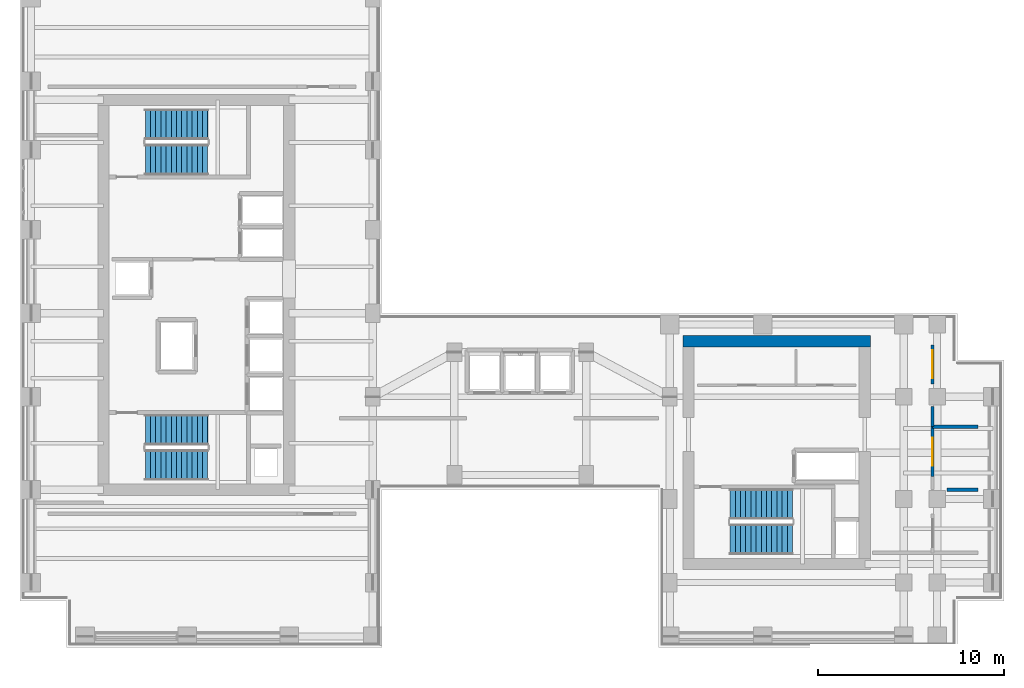
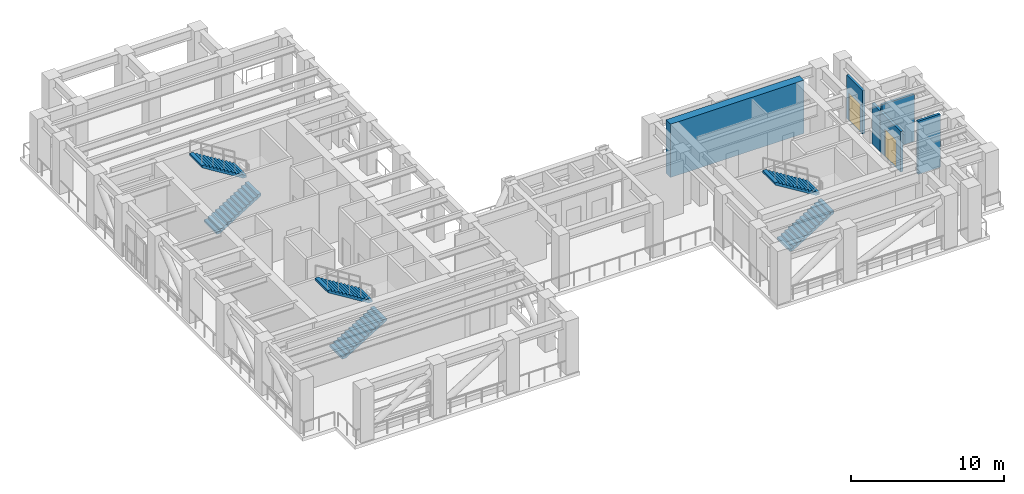
# One storey, part 10 of 14: 6 stair flights, 6 walls, 2 doors, 2 openings, 3 elements without a shape of their own.
"""IFC4 building model written with IfcOpenShell, lengths in metres."""

from ifc_helpers import new_model, si_unit, direction, frame, frame_2d, origin, place, context, subcontext, project, spatial, polyline, rectangle, outline, extrude, source, transform, mapped, material, layer, layer_set, type_object, element, fill, aggregate, save


model = new_model("IFC4")

# Units and contexts
model_context = context("Model", 3, precision=1e-05, world=origin(), true_north=direction((0.0, 1.0)))
body_context = subcontext(model_context, "Body", "Model", "MODEL_VIEW")
ifc_project = project(units=[si_unit("LENGTHUNIT", "METRE"), si_unit("AREAUNIT", "SQUARE_METRE"), si_unit("VOLUMEUNIT", "CUBIC_METRE"), si_unit("PLANEANGLEUNIT", "RADIAN"), si_unit("MASSUNIT", "GRAM", prefix="KILO")], contexts=[model_context])

# Site, building, storey
site_placement = place(None, origin())
site = spatial("IfcSite", under=ifc_project, at=site_placement, CompositionType="ELEMENT")
building_placement = place(site_placement, origin())
building = spatial("IfcBuilding", under=site, at=building_placement, Name="Kharzan Plaza Tower", CompositionType="ELEMENT")
storey_placement = place(building_placement, frame((0.0, 0.0, 207.89990234375)))
storey = spatial("IfcBuildingStorey", under=building, at=storey_placement, Name="L56", CompositionType="ELEMENT", Elevation=207.89990234375)

# Wall, opening, door
ifc_material_1 = material(Name="Concrete C40/50", Category="concrete")
ifc_layer_1 = layer(ifc_material_1, 0.179931640625)
ifc_layer_set_1 = layer_set([ifc_layer_1], Name="Concrete C40/50")
wall_type_1 = type_object("IfcWallType", Name="WL-INT-FIRE-180", PredefinedType="PARTITIONING", material=ifc_layer_set_1)
wall_1_placement = place(storey_placement, frame((49.14990234375, 9.199951171875, 0.0), z_axis=(0.0, 0.0, 1.0), x_axis=(0.0, 1.0, 0.0)))
wall_1 = element("IfcWall", 1, at=wall_1_placement, inside=storey, type_object=wall_type_1, Name="L56 Interior Partition MR-BMS", PredefinedType="PARTITIONING", context=body_context, shape_type="SweptSolid", body=[
    extrude(rectangle(XDim=2.699951171875, YDim=0.179931640625, at=frame_2d((1.35009765625, 0.0))), origin(), (0.0, 0.0, 1.0), 3.2451171875),
])
opening_1_placement = place(wall_1_placement, frame((0.60009765625, 0.0, 0.0)))
opening_1 = element("IfcOpeningElement", 2, at=opening_1_placement, cuts=wall_1, Name="Opening PD1", PredefinedType="OPENING", context=body_context, shape_type="SweptSolid", body=[
    extrude(rectangle(XDim=1.5, YDim=2.199951171875, at=frame_2d((0.75, 1.10009765625))), frame((0.0, 0.099853515625, 0.0), z_axis=(0.0, -1.0, 0.0), x_axis=(1.0, 0.0, 0.0)), (0.0, 0.0, 1.0), 0.199951171875),
])
ifc_material_2 = material(Name="Galvanized Louvred Acoustic Steel", Category="steel")
door_type = type_object("IfcDoorType", Name="DR-PLANT-DBL", OperationType="DOUBLE_DOOR_SINGLE_SWING", PredefinedType="DOOR", material=ifc_material_2)
shared_shape_1 = source(origin(), body_context, "Body", "SweptSolid", [
    extrude(rectangle(XDim=1.5, YDim=2.199951171875, at=frame_2d((0.75, 1.10009765625))), frame((0.0, 0.02490234375, 0.0), z_axis=(0.0, -1.0, 0.0), x_axis=(1.0, 0.0, 0.0)), (0.0, 0.0, 1.0), 0.050048828125),
])
door_1_placement = place(opening_1_placement, origin())
door_1 = element("IfcDoor", 3, at=door_1_placement, inside=storey, type_object=door_type, Name="L56 BMS Controls Plant Room Door", OperationType="DOUBLE_DOOR_SINGLE_SWING", OverallHeight=2.199951171875, OverallWidth=1.5, PredefinedType="DOOR", context=body_context, shape_type="MappedRepresentation", body=[
    mapped(shared_shape_1, transform((0.0, 0.0, 0.0), x_axis=(1.0, 0.0, 0.0), y_axis=(0.0, 1.0, 0.0), z_axis=(0.0, 0.0, 1.0))),
])
fill(opening_1, door_1)

wall_2_placement = place(storey_placement, frame((49.14990234375, 14.199951171875, 0.0), z_axis=(0.0, 0.0, 1.0), x_axis=(0.0, 1.0, 0.0)))
wall_2 = element("IfcWall", 4, at=wall_2_placement, inside=storey, type_object=wall_type_1, Name="L56 Interior Partition MR-SUB", PredefinedType="PARTITIONING", context=body_context, shape_type="SweptSolid", body=[
    extrude(rectangle(XDim=2.10009765625, YDim=0.179931640625, at=frame_2d((1.050048828125, 0.0))), origin(), (0.0, 0.0, 1.0), 3.47216796875),
])
opening_2_placement = place(wall_2_placement, frame((0.300048828125, 0.0, 0.0)))
opening_2 = element("IfcOpeningElement", 5, at=opening_2_placement, cuts=wall_2, Name="Opening PD1", PredefinedType="OPENING", context=body_context, shape_type="SweptSolid", body=[
    extrude(rectangle(XDim=1.5, YDim=2.199951171875, at=frame_2d((0.75, 1.10009765625))), frame((0.0, 0.099853515625, 0.0), z_axis=(0.0, -1.0, 0.0), x_axis=(1.0, 0.0, 0.0)), (0.0, 0.0, 1.0), 0.199951171875),
])
door_2_placement = place(opening_2_placement, origin())
door_2 = element("IfcDoor", 6, at=door_2_placement, inside=storey, type_object=door_type, Name="L56 Transformer Plant Room Door", OperationType="DOUBLE_DOOR_SINGLE_SWING", OverallHeight=2.199951171875, OverallWidth=1.5, PredefinedType="DOOR", context=body_context, shape_type="MappedRepresentation", body=[
    mapped(shared_shape_1, transform((0.0, 0.0, 0.0), x_axis=(1.0, 0.0, 0.0), y_axis=(0.0, 1.0, 0.0), z_axis=(0.0, 0.0, 1.0))),
])
fill(opening_2, door_2)

# Walls
ifc_material_3 = material(Name="Concrete C50/60", Category="concrete")
ifc_layer_2 = layer(ifc_material_3, 0.60009765625)
ifc_layer_set_2 = layer_set([ifc_layer_2], Name="Concrete C50/60")
wall_type_2 = type_object("IfcWallType", Name="WL-CORE-600", PredefinedType="SHEAR", material=ifc_layer_set_2)
shared_shape_2 = source(origin(), body_context, "Body", "SweptSolid", [
    extrude(rectangle(XDim=10.10009765625, YDim=0.60009765625, at=frame_2d((5.050048828125, 0.0))), origin(), (0.0, 0.0, 1.0), 4.260009765625),
])
wall_3_placement = place(storey_placement, frame((35.699951171875, 16.5, 0.0), z_axis=(0.0, 0.0, 1.0), x_axis=(1.0, 0.0, 0.0)))
element("IfcWall", 7, at=wall_3_placement, inside=storey, type_object=wall_type_2, Name="L56 CORE-B north RC shear wall", PredefinedType="SHEAR", context=body_context, shape_type="MappedRepresentation", body=[
    mapped(shared_shape_2, transform((0.0, 0.0, 0.0), x_axis=(1.0, 0.0, 0.0), y_axis=(0.0, 1.0, 0.0), z_axis=(0.0, 0.0, 1.0))),
])
shared_shape_3 = source(origin(), body_context, "Body", "SweptSolid", [
    extrude(rectangle(XDim=2.4501953125, YDim=0.179931640625, at=frame_2d((1.22509765625, 0.0))), origin(), (0.0, 0.0, 1.0), 3.776123046875),
])
wall_4_placement = place(storey_placement, frame((49.14990234375, 11.89990234375, 0.0), z_axis=(0.0, 0.0, 1.0), x_axis=(1.0, 0.0, 0.0)))
element("IfcWall", 8, at=wall_4_placement, inside=storey, type_object=wall_type_1, Name="L56 Interior Partition MR-BMSM", PredefinedType="PARTITIONING", context=body_context, shape_type="MappedRepresentation", body=[
    mapped(shared_shape_3, transform((0.0, 0.0, 0.0), x_axis=(1.0, 0.0, 0.0), y_axis=(0.0, 1.0, 0.0), z_axis=(0.0, 0.0, 1.0))),
])
shared_shape_4 = source(origin(), body_context, "Body", "SweptSolid", [
    extrude(rectangle(XDim=1.68017578125, YDim=0.179931640625, at=frame_2d((0.840087890625, 0.0))), origin(), (0.0, 0.0, 1.0), 4.2451171875),
])
wall_5_placement = place(storey_placement, frame((49.919921875, 8.5, 0.0), z_axis=(0.0, 0.0, 1.0), x_axis=(1.0, 0.0, 0.0)))
element("IfcWall", 9, at=wall_5_placement, inside=storey, type_object=wall_type_1, Name="L56 Interior Partition MR-PMPM", PredefinedType="PARTITIONING", context=body_context, shape_type="MappedRepresentation", body=[
    mapped(shared_shape_4, transform((0.0, 0.0, 0.0), x_axis=(1.0, 0.0, 0.0), y_axis=(0.0, 1.0, 0.0), z_axis=(0.0, 0.0, 1.0))),
])
shared_shape_5 = source(origin(), body_context, "Body", "SweptSolid", [
    extrude(rectangle(XDim=1.080078125, YDim=0.179931640625, at=frame_2d((0.5400390625, 0.0))), origin(), (0.0, 0.0, 1.0), 3.2451171875),
])
wall_6_placement = place(storey_placement, frame((49.14990234375, 11.89990234375, 0.0), z_axis=(0.0, 0.0, 1.0), x_axis=(0.0, 1.0, 0.0)))
element("IfcWall", 10, at=wall_6_placement, inside=storey, type_object=wall_type_1, Name="L56 Interior Partition MR-SUBS", PredefinedType="PARTITIONING", context=body_context, shape_type="MappedRepresentation", body=[
    mapped(shared_shape_5, transform((0.0, 0.0, 0.0), x_axis=(1.0, 0.0, 0.0), y_axis=(0.0, 1.0, 0.0), z_axis=(0.0, 0.0, 1.0))),
])

# Stair, stair flights
stair_type_1 = type_object("IfcStairType", Name="STR-ST-1", PredefinedType="HALF_TURN_STAIR", material=ifc_material_1)
stair_1_placement = place(storey_placement, origin())
stair_1 = element("IfcStair", 11, at=stair_1_placement, inside=storey, type_object=stair_type_1, Name="L56 Protected Exit Stair ST-1", PredefinedType="HALF_TURN_STAIR")
stair_flight_type = type_object("IfcStairFlightType", Name="SFL-1650-R173", PredefinedType="STRAIGHT", material=ifc_material_1)
shared_shape_6 = source(origin(), body_context, "Body", "SweptSolid", [
    extrude(outline(polyline([(-0.0029296875, -0.011962890625), (-0.0029296875, 0.0), (0.0, 0.0), (0.0, 0.173095703125), (0.280029296875, 0.173095703125), (0.280029296875, 0.34619140625), (0.56005859375, 0.34619140625), (0.56005859375, 0.519287109375), (0.840087890625, 0.519287109375), (0.840087890625, 0.6923828125), (1.1201171875, 0.6923828125), (1.1201171875, 0.865478515625), (1.400146484375, 0.865478515625), (1.400146484375, 1.03857421875), (1.68017578125, 1.03857421875), (1.68017578125, 1.211669921875), (1.960205078125, 1.211669921875), (1.960205078125, 1.384765625), (2.240234375, 1.384765625), (2.240234375, 1.557861328125), (2.520263671875, 1.557861328125), (2.520263671875, 1.73095703125), (2.80029296875, 1.73095703125), (2.80029296875, 1.904052734375), (3.080322265625, 1.904052734375), (3.080322265625, 2.0771484375), (3.3603515625, 2.0771484375), (3.3603515625, 2.250244140625), (3.3603515625, 1.90087890625), (0.28515625, 0.0), (0.28515625, -0.011962890625), (-0.0029296875, -0.011962890625)])), frame((0.0, 0.824951171875, 0.0), z_axis=(0.0, -1.0, 0.0), x_axis=(1.0, 0.0, 0.0)), (0.0, 0.0, 1.0), 1.64990234375),
])
stair_flight_1_placement = place(storey_placement, frame((6.75, 9.824951171875, 0.0), z_axis=(0.0, 0.0, 1.0), x_axis=(1.0, 0.0, 0.0)))
stair_flight_1 = element("IfcStairFlight", 12, at=stair_flight_1_placement, type_object=stair_flight_type, Name="ST-1 flight 1", NumberOfRisers=13, NumberOfTreads=12, PredefinedType="STRAIGHT", RiserHeight=0.173076923, TreadLength=0.28, context=body_context, shape_type="MappedRepresentation", body=[
    mapped(shared_shape_6, transform((0.0, 0.0, 0.0), x_axis=(1.0, 0.0, 0.0), y_axis=(0.0, 1.0, 0.0), z_axis=(0.0, 0.0, 1.0))),
])
stair_flight_2_placement = place(storey_placement, frame((10.110107421875, 11.72509765625, 2.25), z_axis=(0.0, 0.0, 1.0), x_axis=(-1.0, 0.0, 0.0)))
stair_flight_2 = element("IfcStairFlight", 13, at=stair_flight_2_placement, type_object=stair_flight_type, Name="ST-1 flight 2", NumberOfRisers=13, NumberOfTreads=12, PredefinedType="STRAIGHT", RiserHeight=0.173076923, TreadLength=0.28, context=body_context, shape_type="MappedRepresentation", body=[
    mapped(shared_shape_6, transform((0.0, 0.0, 0.0), x_axis=(1.0, 0.0, 0.0), y_axis=(0.0, 1.0, 0.0), z_axis=(0.0, 0.0, 1.0))),
])
aggregate(stair_1, [stair_flight_1, stair_flight_2])

stair_type_2 = type_object("IfcStairType", Name="STR-ST-2", PredefinedType="HALF_TURN_STAIR", material=ifc_material_1)
stair_2_placement = place(storey_placement, origin())
stair_2 = element("IfcStair", 14, at=stair_2_placement, inside=storey, type_object=stair_type_2, Name="L56 Protected Exit Stair ST-2", PredefinedType="HALF_TURN_STAIR")
stair_flight_3_placement = place(storey_placement, frame((6.75, 26.27490234375, 0.0), z_axis=(0.0, 0.0, 1.0), x_axis=(1.0, 0.0, 0.0)))
stair_flight_3 = element("IfcStairFlight", 15, at=stair_flight_3_placement, type_object=stair_flight_type, Name="ST-2 flight 1", NumberOfRisers=13, NumberOfTreads=12, PredefinedType="STRAIGHT", RiserHeight=0.173076923, TreadLength=0.28, context=body_context, shape_type="MappedRepresentation", body=[
    mapped(shared_shape_6, transform((0.0, 0.0, 0.0), x_axis=(1.0, 0.0, 0.0), y_axis=(0.0, 1.0, 0.0), z_axis=(0.0, 0.0, 1.0))),
])
stair_flight_4_placement = place(storey_placement, frame((10.110107421875, 28.175048828125, 2.25), z_axis=(0.0, 0.0, 1.0), x_axis=(-1.0, 0.0, 0.0)))
stair_flight_4 = element("IfcStairFlight", 16, at=stair_flight_4_placement, type_object=stair_flight_type, Name="ST-2 flight 2", NumberOfRisers=13, NumberOfTreads=12, PredefinedType="STRAIGHT", RiserHeight=0.173076923, TreadLength=0.28, context=body_context, shape_type="MappedRepresentation", body=[
    mapped(shared_shape_6, transform((0.0, 0.0, 0.0), x_axis=(1.0, 0.0, 0.0), y_axis=(0.0, 1.0, 0.0), z_axis=(0.0, 0.0, 1.0))),
])
aggregate(stair_2, [stair_flight_3, stair_flight_4])

stair_type_3 = type_object("IfcStairType", Name="STR-ST-3", PredefinedType="HALF_TURN_STAIR", material=ifc_material_1)
stair_3_placement = place(storey_placement, origin())
stair_3 = element("IfcStair", 17, at=stair_3_placement, inside=storey, type_object=stair_type_3, Name="L56 Protected Exit Stair ST-3", PredefinedType="HALF_TURN_STAIR")
stair_flight_5_placement = place(storey_placement, frame((38.25, 5.824951171875, 0.0), z_axis=(0.0, 0.0, 1.0), x_axis=(1.0, 0.0, 0.0)))
stair_flight_5 = element("IfcStairFlight", 18, at=stair_flight_5_placement, type_object=stair_flight_type, Name="ST-3 flight 1", NumberOfRisers=13, NumberOfTreads=12, PredefinedType="STRAIGHT", RiserHeight=0.173076923, TreadLength=0.28, context=body_context, shape_type="MappedRepresentation", body=[
    mapped(shared_shape_6, transform((0.0, 0.0, 0.0), x_axis=(1.0, 0.0, 0.0), y_axis=(0.0, 1.0, 0.0), z_axis=(0.0, 0.0, 1.0))),
])
stair_flight_6_placement = place(storey_placement, frame((41.610107421875, 7.72509765625, 2.25), z_axis=(0.0, 0.0, 1.0), x_axis=(-1.0, 0.0, 0.0)))
stair_flight_6 = element("IfcStairFlight", 19, at=stair_flight_6_placement, type_object=stair_flight_type, Name="ST-3 flight 2", NumberOfRisers=13, NumberOfTreads=12, PredefinedType="STRAIGHT", RiserHeight=0.173076923, TreadLength=0.28, context=body_context, shape_type="MappedRepresentation", body=[
    mapped(shared_shape_6, transform((0.0, 0.0, 0.0), x_axis=(1.0, 0.0, 0.0), y_axis=(0.0, 1.0, 0.0), z_axis=(0.0, 0.0, 1.0))),
])
aggregate(stair_3, [stair_flight_5, stair_flight_6])

save(model, "model.ifc")
